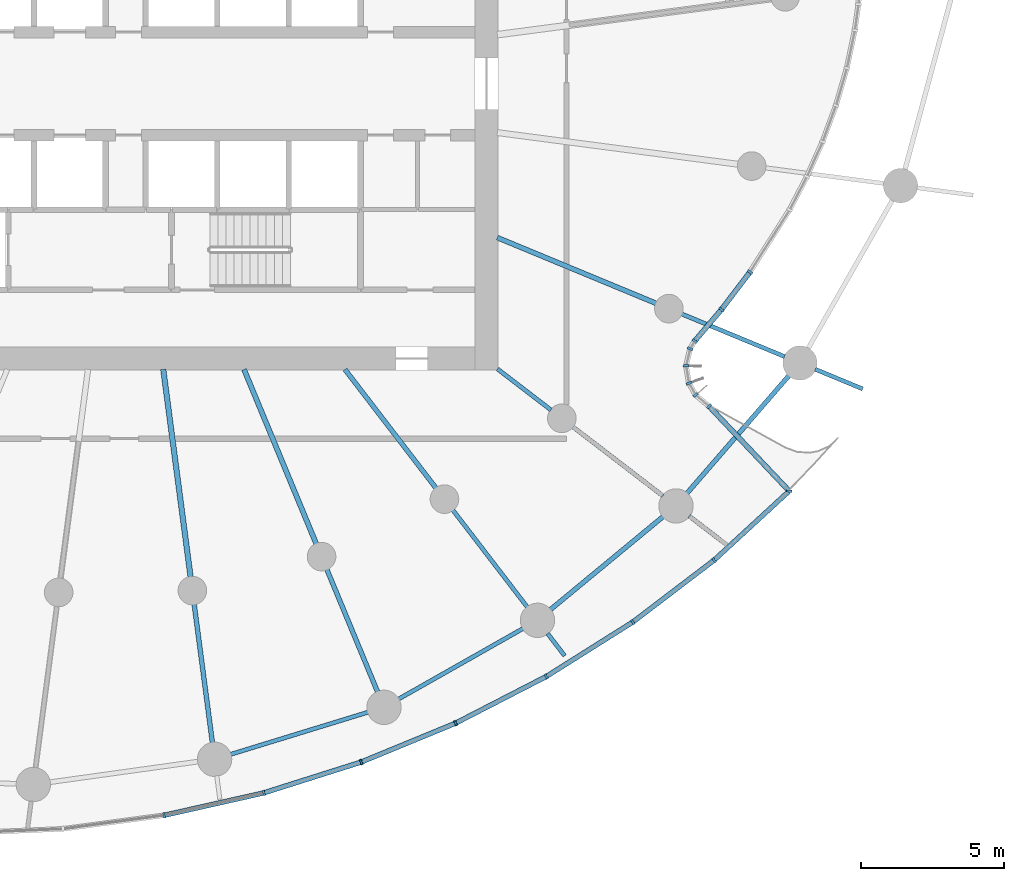
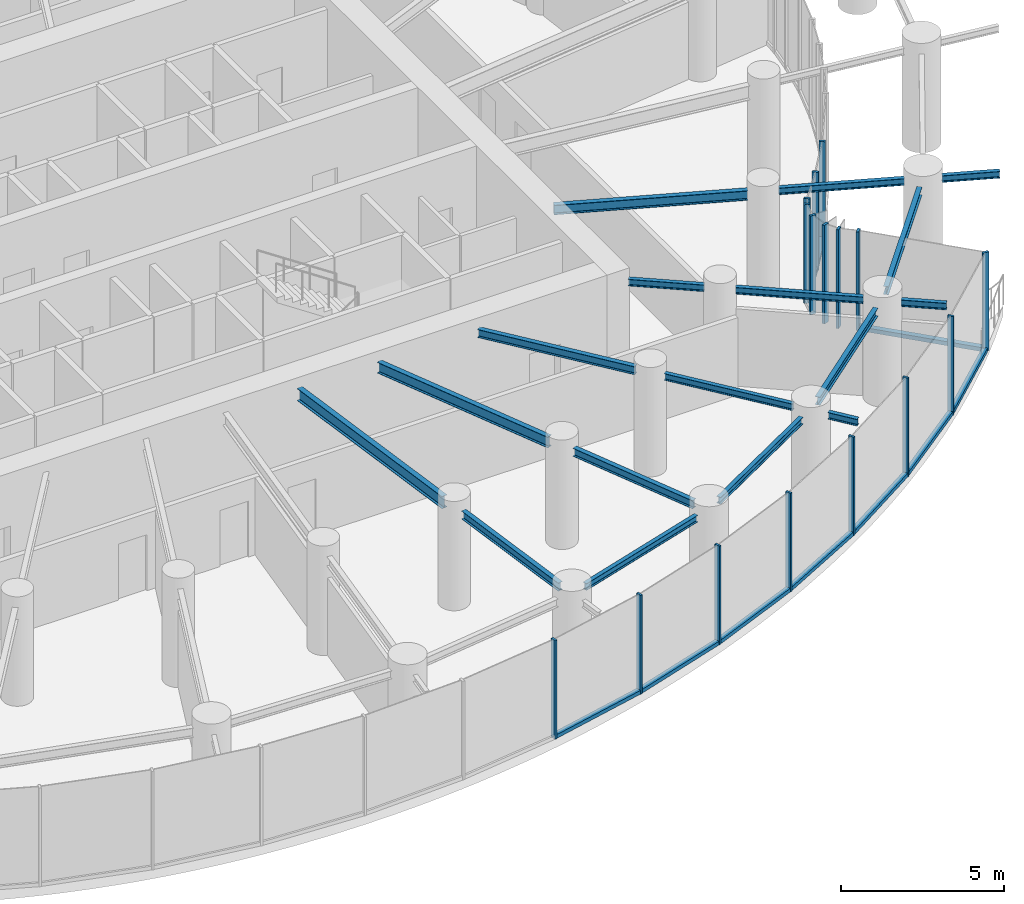
# One storey, part 4 of 21: 26 members, 17 beams, 4 elements without a shape of their own.
"""IFC4 building model written with IfcOpenShell, lengths in metres."""

from ifc_helpers import new_model, si_unit, direction, frame, origin, origin_2d, place, context, subcontext, project, spatial, rectangle, i_section, extrude, source, transform, mapped, material, layer, layer_set, material_profile, profile_set, type_object, element, aggregate, save


model = new_model("IFC4")

# Units and contexts
model_context = context("Model", 3, precision=1e-05, world=origin(), true_north=direction((0.0, 1.0)))
body_context = subcontext(model_context, "Body", "Model", "MODEL_VIEW")
ifc_project = project(units=[si_unit("LENGTHUNIT", "METRE"), si_unit("AREAUNIT", "SQUARE_METRE"), si_unit("VOLUMEUNIT", "CUBIC_METRE"), si_unit("PLANEANGLEUNIT", "RADIAN"), si_unit("MASSUNIT", "GRAM", prefix="KILO")], contexts=[model_context])

# Site, building, storey
site_placement = place(None, origin())
site = spatial("IfcSite", under=ifc_project, at=site_placement, CompositionType="ELEMENT")
building_placement = place(site_placement, origin())
building = spatial("IfcBuilding", under=site, at=building_placement, Name="Spindrift Exchange Tower", CompositionType="ELEMENT")
storey_placement = place(building_placement, frame((0.0, 0.0, 83.89990234375)))
storey = spatial("IfcBuildingStorey", under=building, at=storey_placement, Name="L19", CompositionType="ELEMENT", Elevation=83.89990234375)

# Beams
ifc_material_1 = material(Name="Steel Grade 300", Category="steel")
ifc_material_profile_1 = material_profile(ifc_material_1, i_section(OverallWidth=0.18994140625, OverallDepth=0.45703125, WebThickness=0.009033203125, FlangeThickness=0.014404296875, FilletRadius=0.013916015625, at=origin_2d()), Name="460UB74.6")
ifc_profile_set_1 = profile_set([ifc_material_profile_1], Name="Steel Grade 300")
beam_type_1 = type_object("IfcBeamType", Name="Floor Beam 460UB74.6 Steel Grade 300", PredefinedType="BEAM", material=ifc_profile_set_1)
shared_shape_1 = source(origin(), body_context, "Body", "SweptSolid", [
    extrude(i_section(OverallWidth=0.18994140625, OverallDepth=0.45703125, WebThickness=0.009033203125, FlangeThickness=0.014404296875, FilletRadius=0.013916015625, at=origin_2d()), origin(), (0.0, 0.0, 1.0), 7.3095703125),
])
beam_1_placement = place(storey_placement, frame((53.31396484375, 38.019775390625, 3.4716796875), z_axis=(0.130527087244, -0.991444743541, 0.0), x_axis=(0.991444743541, 0.130527087244, 0.0)))
element("IfcBeam", 1, at=beam_1_placement, inside=storey, type_object=beam_type_1, Name="L19 radial beam R19A", PredefinedType="BEAM", context=body_context, shape_type="MappedRepresentation", body=[
    mapped(shared_shape_1, transform((0.0, 0.0, 0.0), scale=1.0)),
])
ifc_material_profile_2 = material_profile(ifc_material_1, i_section(OverallWidth=0.177978515625, OverallDepth=0.406005859375, WebThickness=0.0078125, FlangeThickness=0.0126953125, FilletRadius=0.013916015625, at=origin_2d()), Name="410UB59.7")
ifc_profile_set_2 = profile_set([ifc_material_profile_2], Name="Steel Grade 300")
beam_type_2 = type_object("IfcBeamType", Name="Floor Beam 410UB59.7 Steel Grade 300", PredefinedType="BEAM", material=ifc_profile_set_2)
shared_shape_2 = source(origin(), body_context, "Body", "SweptSolid", [
    extrude(i_section(OverallWidth=0.177978515625, OverallDepth=0.406005859375, WebThickness=0.0078125, FlangeThickness=0.0126953125, FilletRadius=0.013916015625, at=origin_2d()), origin(), (0.0, 0.0, 1.0), 6.594482421875),
])
beam_2_placement = place(storey_placement, frame((56.134521484375, 38.0185546875, 3.4970703125), z_axis=(0.382692929746, -0.92387559851, 0.0), x_axis=(0.92387559851, 0.382692929746, 0.0)))
element("IfcBeam", 2, at=beam_2_placement, inside=storey, type_object=beam_type_2, Name="L19 radial beam R20A", PredefinedType="BEAM", context=body_context, shape_type="MappedRepresentation", body=[
    mapped(shared_shape_2, transform((0.0, 0.0, 0.0), scale=1.0)),
])
ifc_material_profile_3 = material_profile(ifc_material_1, i_section(OverallWidth=0.1650390625, OverallDepth=0.303955078125, WebThickness=0.006103515625, FlangeThickness=0.01025390625, FilletRadius=0.011474609375, at=origin_2d()), Name="310UB40.4")
ifc_profile_set_3 = profile_set([ifc_material_profile_3], Name="Steel Grade 300")
beam_type_3 = type_object("IfcBeamType", Name="Floor Beam 310UB40.4 Steel Grade 300", PredefinedType="BEAM", material=ifc_profile_set_3)
shared_shape_3 = source(origin(), body_context, "Body", "SweptSolid", [
    extrude(i_section(OverallWidth=0.1650390625, OverallDepth=0.303955078125, WebThickness=0.006103515625, FlangeThickness=0.01025390625, FilletRadius=0.011474609375, at=origin_2d()), origin(), (0.0, 0.0, 1.0), 5.224609375),
])
beam_3_placement = place(storey_placement, frame((59.6611328125, 38.015869140625, 3.548095703125), z_axis=(0.608741499316, -0.793368632485, 0.0), x_axis=(0.793368632485, 0.608741499316, 0.0)))
element("IfcBeam", 3, at=beam_3_placement, inside=storey, type_object=beam_type_3, Name="L19 radial beam R21A", PredefinedType="BEAM", context=body_context, shape_type="MappedRepresentation", body=[
    mapped(shared_shape_3, transform((0.0, 0.0, 0.0), scale=1.0)),
])
ifc_material_profile_4 = material_profile(ifc_material_1, i_section(OverallWidth=0.14599609375, OverallDepth=0.251953125, WebThickness=0.006103515625, FlangeThickness=0.008544921875, FilletRadius=0.011962890625, at=origin_2d()), Name="250UB31.4")
ifc_profile_set_4 = profile_set([ifc_material_profile_4], Name="Steel Grade 300")
beam_type_4 = type_object("IfcBeamType", Name="Floor Beam 250UB31.4 Steel Grade 300", PredefinedType="BEAM", material=ifc_profile_set_4)
shared_shape_4 = source(origin(), body_context, "Body", "SweptSolid", [
    extrude(i_section(OverallWidth=0.14599609375, OverallDepth=0.251953125, WebThickness=0.006103515625, FlangeThickness=0.008544921875, FilletRadius=0.011962890625, at=origin_2d()), origin(), (0.0, 0.0, 1.0), 2.353759765625),
])
beam_4_placement = place(storey_placement, frame((64.984130859375, 38.036865234375, 3.57421875), z_axis=(0.793367573265, -0.608742879787, 0.0), x_axis=(0.608742879787, 0.793367573265, 0.0)))
element("IfcBeam", 4, at=beam_4_placement, inside=storey, type_object=beam_type_4, Name="L19 radial beam R22A", PredefinedType="BEAM", context=body_context, shape_type="MappedRepresentation", body=[
    mapped(shared_shape_4, transform((0.0, 0.0, 0.0), scale=1.0)),
])
ifc_material_profile_5 = material_profile(ifc_material_1, i_section(OverallWidth=0.172119140625, OverallDepth=0.35888671875, WebThickness=0.008056640625, FlangeThickness=0.012939453125, FilletRadius=0.013916015625, at=origin_2d()), Name="360UB56.7")
ifc_profile_set_5 = profile_set([ifc_material_profile_5], Name="Steel Grade 300")
beam_type_5 = type_object("IfcBeamType", Name="Floor Beam 360UB56.7 Steel Grade 300", PredefinedType="BEAM", material=ifc_profile_set_5)
shared_shape_5 = source(origin(), body_context, "Body", "SweptSolid", [
    extrude(i_section(OverallWidth=0.172119140625, OverallDepth=0.35888671875, WebThickness=0.008056640625, FlangeThickness=0.012939453125, FilletRadius=0.013916015625, at=origin_2d()), origin(), (0.0, 0.0, 1.0), 6.004638671875),
])
beam_5_placement = place(storey_placement, frame((64.9814453125, 42.622802734375, 3.5205078125), z_axis=(0.923882044911, -0.38267736684, 0.0), x_axis=(0.38267736684, 0.923882044911, 0.0)))
element("IfcBeam", 5, at=beam_5_placement, inside=storey, type_object=beam_type_5, Name="L19 radial beam R23A", PredefinedType="BEAM", context=body_context, shape_type="MappedRepresentation", body=[
    mapped(shared_shape_5, transform((0.0, 0.0, 0.0), scale=1.0)),
])
shared_shape_6 = source(origin(), body_context, "Body", "SweptSolid", [
    extrude(i_section(OverallWidth=0.1650390625, OverallDepth=0.303955078125, WebThickness=0.006103515625, FlangeThickness=0.01025390625, FilletRadius=0.011474609375, at=origin_2d()), origin(), (0.0, 0.0, 1.0), 4.883056640625),
])
beam_6_placement = place(storey_placement, frame((54.393310546875, 29.82080078125, 3.548095703125), z_axis=(0.130542457964, -0.991442719812, 0.0), x_axis=(0.991442719812, 0.130542457964, 0.0)))
element("IfcBeam", 6, at=beam_6_placement, inside=storey, type_object=beam_type_3, Name="L19 radial beam R19B", PredefinedType="BEAM", context=body_context, shape_type="MappedRepresentation", body=[
    mapped(shared_shape_6, transform((0.0, 0.0, 0.0), scale=1.0)),
])
shared_shape_7 = source(origin(), body_context, "Body", "SweptSolid", [
    extrude(i_section(OverallWidth=0.1650390625, OverallDepth=0.303955078125, WebThickness=0.006103515625, FlangeThickness=0.01025390625, FilletRadius=0.011474609375, at=origin_2d()), origin(), (0.0, 0.0, 1.0), 4.63671875),
])
beam_7_placement = place(storey_placement, frame((59.025390625, 31.0390625, 3.548095703125), z_axis=(0.382692818086, -0.923875644763, 0.0), x_axis=(0.923875644763, 0.382692818086, 0.0)))
element("IfcBeam", 7, at=beam_7_placement, inside=storey, type_object=beam_type_3, Name="L19 radial beam R20B", PredefinedType="BEAM", context=body_context, shape_type="MappedRepresentation", body=[
    mapped(shared_shape_7, transform((0.0, 0.0, 0.0), scale=1.0)),
])
shared_shape_8 = source(origin(), body_context, "Body", "SweptSolid", [
    extrude(i_section(OverallWidth=0.14599609375, OverallDepth=0.251953125, WebThickness=0.006103515625, FlangeThickness=0.008544921875, FilletRadius=0.011962890625, at=origin_2d()), origin(), (0.0, 0.0, 1.0), 4.27587890625),
])
beam_8_placement = place(storey_placement, frame((63.426025390625, 33.109375, 3.57421875), z_axis=(0.608725184746, -0.793381150177, 0.0), x_axis=(0.793381150177, 0.608725184746, 0.0)))
element("IfcBeam", 8, at=beam_8_placement, inside=storey, type_object=beam_type_4, Name="L19 radial beam R21B", PredefinedType="BEAM", context=body_context, shape_type="MappedRepresentation", body=[
    mapped(shared_shape_8, transform((0.0, 0.0, 0.0), scale=1.0)),
])
shared_shape_9 = source(origin(), body_context, "Body", "SweptSolid", [
    extrude(i_section(OverallWidth=0.14599609375, OverallDepth=0.251953125, WebThickness=0.006103515625, FlangeThickness=0.008544921875, FilletRadius=0.011962890625, at=origin_2d()), origin(), (0.0, 0.0, 1.0), 3.966064453125),
])
beam_9_placement = place(storey_placement, frame((67.61328125, 36.01953125, 3.57421875), z_axis=(0.79336256318, -0.608749409318, 0.0), x_axis=(0.608749409318, 0.79336256318, 0.0)))
element("IfcBeam", 9, at=beam_9_placement, inside=storey, type_object=beam_type_4, Name="L19 radial beam R22B", PredefinedType="BEAM", context=body_context, shape_type="MappedRepresentation", body=[
    mapped(shared_shape_9, transform((0.0, 0.0, 0.0), scale=1.0)),
])
shared_shape_10 = source(origin(), body_context, "Body", "SweptSolid", [
    extrude(i_section(OverallWidth=0.14599609375, OverallDepth=0.251953125, WebThickness=0.006103515625, FlangeThickness=0.008544921875, FilletRadius=0.011962890625, at=origin_2d()), origin(), (0.0, 0.0, 1.0), 3.892333984375),
])
beam_10_placement = place(storey_placement, frame((71.416015625, 39.95751953125, 3.57421875), z_axis=(0.923878458273, -0.382686025794, 0.0), x_axis=(0.382686025794, 0.923878458273, 0.0)))
element("IfcBeam", 10, at=beam_10_placement, inside=storey, type_object=beam_type_4, Name="L19 radial beam R23B", PredefinedType="BEAM", context=body_context, shape_type="MappedRepresentation", body=[
    mapped(shared_shape_10, transform((0.0, 0.0, 0.0), scale=1.0)),
])
ifc_material_profile_6 = material_profile(ifc_material_1, i_section(OverallWidth=0.14599609375, OverallDepth=0.251953125, WebThickness=0.006103515625, FlangeThickness=0.008544921875, FilletRadius=0.011962890625, at=origin_2d()), Name="250UB31.4")
ifc_profile_set_6 = profile_set([ifc_material_profile_6], Name="Steel Grade 300")
beam_type_6 = type_object("IfcBeamType", Name="Edge Beam 250UB31.4 Steel Grade 300", PredefinedType="SPANDREL", material=ifc_profile_set_6)
shared_shape_11 = source(origin(), body_context, "Body", "SweptSolid", [
    extrude(i_section(OverallWidth=0.14599609375, OverallDepth=0.251953125, WebThickness=0.006103515625, FlangeThickness=0.008544921875, FilletRadius=0.011962890625, at=origin_2d()), origin(), (0.0, 0.0, 1.0), 5.027587890625),
])
beam_11_placement = place(storey_placement, frame((55.660888671875, 24.57470703125, 3.57421875), z_axis=(0.956018084082, 0.293307727325, 0.0), x_axis=(-0.293307727325, 0.956018084082, 0.0)))
element("IfcBeam", 11, at=beam_11_placement, inside=storey, type_object=beam_type_6, Name="L19 edge beam E19", PredefinedType="SPANDREL", context=body_context, shape_type="MappedRepresentation", body=[
    mapped(shared_shape_11, transform((0.0, 0.0, 0.0), scale=1.0)),
])
shared_shape_12 = source(origin(), body_context, "Body", "SweptSolid", [
    extrude(i_section(OverallWidth=0.14599609375, OverallDepth=0.251953125, WebThickness=0.006103515625, FlangeThickness=0.008544921875, FilletRadius=0.011962890625, at=origin_2d()), origin(), (0.0, 0.0, 1.0), 5.0009765625),
])
beam_12_placement = place(storey_placement, frame((61.5263671875, 26.505615234375, 3.57421875), z_axis=(0.870045916697, 0.492970691663, 0.0), x_axis=(-0.492970691663, 0.870045916697, 0.0)))
element("IfcBeam", 12, at=beam_12_placement, inside=storey, type_object=beam_type_6, Name="L19 edge beam E20", PredefinedType="SPANDREL", context=body_context, shape_type="MappedRepresentation", body=[
    mapped(shared_shape_12, transform((0.0, 0.0, 0.0), scale=1.0)),
])
ifc_material_profile_7 = material_profile(ifc_material_1, i_section(OverallWidth=0.1650390625, OverallDepth=0.303955078125, WebThickness=0.006103515625, FlangeThickness=0.01025390625, FilletRadius=0.011474609375, at=origin_2d()), Name="310UB40.4")
ifc_profile_set_7 = profile_set([ifc_material_profile_7], Name="Steel Grade 300")
beam_type_7 = type_object("IfcBeamType", Name="Edge Beam 310UB40.4 Steel Grade 300", PredefinedType="SPANDREL", material=ifc_profile_set_7)
shared_shape_13 = source(origin(), body_context, "Body", "SweptSolid", [
    extrude(i_section(OverallWidth=0.1650390625, OverallDepth=0.303955078125, WebThickness=0.006103515625, FlangeThickness=0.01025390625, FilletRadius=0.011474609375, at=origin_2d()), origin(), (0.0, 0.0, 1.0), 5.114501953125),
])
beam_13_placement = place(storey_placement, frame((66.8291015625, 29.626220703125, 3.548095703125), z_axis=(0.771073837992, 0.63674573918, 0.0), x_axis=(-0.63674573918, 0.771073837992, 0.0)))
element("IfcBeam", 13, at=beam_13_placement, inside=storey, type_object=beam_type_7, Name="L19 edge beam E21", PredefinedType="SPANDREL", context=body_context, shape_type="MappedRepresentation", body=[
    mapped(shared_shape_13, transform((0.0, 0.0, 0.0), scale=1.0)),
])
shared_shape_14 = source(origin(), body_context, "Body", "SweptSolid", [
    extrude(i_section(OverallWidth=0.1650390625, OverallDepth=0.303955078125, WebThickness=0.006103515625, FlangeThickness=0.01025390625, FilletRadius=0.011474609375, at=origin_2d()), origin(), (0.0, 0.0, 1.0), 5.448486328125),
])
beam_14_placement = place(storey_placement, frame((71.599609375, 33.6904296875, 3.548095703125), z_axis=(0.654922008827, 0.755696475018, 0.0), x_axis=(-0.755696475018, 0.654922008827, 0.0)))
element("IfcBeam", 14, at=beam_14_placement, inside=storey, type_object=beam_type_7, Name="L19 edge beam E22", PredefinedType="SPANDREL", context=body_context, shape_type="MappedRepresentation", body=[
    mapped(shared_shape_14, transform((0.0, 0.0, 0.0), scale=1.0)),
])
ifc_material_profile_8 = material_profile(ifc_material_1, i_section(OverallWidth=0.14599609375, OverallDepth=0.251953125, WebThickness=0.006103515625, FlangeThickness=0.008544921875, FilletRadius=0.011962890625, at=origin_2d()), Name="250UB31.4")
ifc_profile_set_8 = profile_set([ifc_material_profile_8], Name="Steel Grade 300")
beam_type_8 = type_object("IfcBeamType", Name="Cantilever Beam 250UB31.4 Steel Grade 300", PredefinedType="BEAM", material=ifc_profile_set_8)
shared_shape_15 = source(origin(), body_context, "Body", "SweptSolid", [
    extrude(i_section(OverallWidth=0.14599609375, OverallDepth=0.251953125, WebThickness=0.006103515625, FlangeThickness=0.008544921875, FilletRadius=0.011962890625, at=origin_2d()), origin(), (0.0, 0.0, 1.0), 0.982666015625),
])
beam_15_placement = place(storey_placement, frame((66.735107421875, 28.796875, 3.57421875), z_axis=(0.608749688417, -0.793362349026, 0.0), x_axis=(0.793362349026, 0.608749688417, 0.0)))
element("IfcBeam", 15, at=beam_15_placement, inside=storey, type_object=beam_type_8, Name="L19 cantilever beam R21T", PredefinedType="BEAM", context=body_context, shape_type="MappedRepresentation", body=[
    mapped(shared_shape_15, transform((0.0, 0.0, 0.0), scale=1.0)),
])
shared_shape_16 = source(origin(), body_context, "Body", "SweptSolid", [
    extrude(i_section(OverallWidth=0.14599609375, OverallDepth=0.251953125, WebThickness=0.006103515625, FlangeThickness=0.008544921875, FilletRadius=0.011962890625, at=origin_2d()), origin(), (0.0, 0.0, 1.0), 1.410888671875),
])
beam_16_placement = place(storey_placement, frame((71.679931640625, 32.89892578125, 3.57421875), z_axis=(0.793369572621, -0.608740274041, 0.0), x_axis=(0.608740274041, 0.793369572621, 0.0)))
element("IfcBeam", 16, at=beam_16_placement, inside=storey, type_object=beam_type_8, Name="L19 cantilever beam R22T", PredefinedType="BEAM", context=body_context, shape_type="MappedRepresentation", body=[
    mapped(shared_shape_16, transform((0.0, 0.0, 0.0), scale=1.0)),
])
shared_shape_17 = source(origin(), body_context, "Body", "SweptSolid", [
    extrude(i_section(OverallWidth=0.14599609375, OverallDepth=0.251953125, WebThickness=0.006103515625, FlangeThickness=0.008544921875, FilletRadius=0.011962890625, at=origin_2d()), origin(), (0.0, 0.0, 1.0), 1.790283203125),
])
beam_17_placement = place(storey_placement, frame((76.08349609375, 38.024169921875, 3.57421875), z_axis=(0.923893845705, -0.382648875431, 0.0), x_axis=(0.382648875431, 0.923893845705, 0.0)))
element("IfcBeam", 17, at=beam_17_placement, inside=storey, type_object=beam_type_8, Name="L19 cantilever beam R23T", PredefinedType="BEAM", context=body_context, shape_type="MappedRepresentation", body=[
    mapped(shared_shape_17, transform((0.0, 0.0, 0.0), scale=1.0)),
])

# Curtain wall, members
ifc_material_2 = material(Name="Fritted laminated glass with bronze frame", Category="glass")
ifc_layer_1 = layer(ifc_material_2, 0.18994140625)
ifc_layer_set_1 = layer_set([ifc_layer_1], Name="ZONE 2 BRONZE FRITTED WALL")
curtain_wall_type_1 = type_object("IfcCurtainWallType", Name="ZONE 2 BRONZE FRITTED WALL", PredefinedType="NOTDEFINED", material=ifc_layer_set_1)
curtain_wall_1_placement = place(storey_placement, origin())
curtain_wall_1 = element("IfcCurtainWall", 18, at=curtain_wall_1_placement, inside=storey, type_object=curtain_wall_type_1, Name="L19 Zone 2 Bronze Fritted Wall run 6", PredefinedType="NOTDEFINED")
ifc_material_3 = material(Name="Bronze anodised aluminium", Category="aluminium")
ifc_material_profile_9 = material_profile(ifc_material_3, rectangle(XDim=0.169921875, YDim=0.139892578125, at=origin_2d()), Name="ZONE 2 BRONZE FRITTED WALL TRANSOM 170X140")
ifc_profile_set_9 = profile_set([ifc_material_profile_9], Name="Bronze anodised aluminium")
member_type_1 = type_object("IfcMemberType", Name="ZONE 2 BRONZE FRITTED WALL TRANSOM 170X140", PredefinedType="USERDEFINED", material=ifc_profile_set_9)
shared_shape_18 = source(origin(), body_context, "Body", "SweptSolid", [
    extrude(rectangle(XDim=0.169921875, YDim=0.139892578125, at=origin_2d()), origin(), (0.0, 0.0, 1.0), 3.49169921875),
])
member_1_placement = place(storey_placement, frame((60.259765625, 24.31982421875, 0.070068359375), z_axis=(0.924633202041, 0.380858821197, 0.0), x_axis=(-0.380858821197, 0.924633202041, 0.0)))
member_1 = element("IfcMember", 19, at=member_1_placement, type_object=member_type_1, Name="L19 transom CW-2.31", ObjectType="TRANSOM", PredefinedType="USERDEFINED", context=body_context, shape_type="MappedRepresentation", body=[
    mapped(shared_shape_18, transform((0.0, 0.0, 0.0), scale=1.0)),
])
member_2_placement = place(storey_placement, frame((63.55615234375, 25.68115234375, 0.070068359375), z_axis=(0.889107357573, 0.457698707351, 0.0), x_axis=(-0.457698707351, 0.889107357573, 0.0)))
member_2 = element("IfcMember", 20, at=member_2_placement, type_object=member_type_1, Name="L19 transom CW-2.32", ObjectType="TRANSOM", PredefinedType="USERDEFINED", context=body_context, shape_type="MappedRepresentation", body=[
    mapped(shared_shape_18, transform((0.0, 0.0, 0.0), scale=1.0)),
])
member_3_placement = place(storey_placement, frame((66.725830078125, 27.31640625, 0.070068359375), z_axis=(0.846411445107, 0.532529497392, 0.0), x_axis=(-0.532529497392, 0.846411445107, 0.0)))
member_3 = element("IfcMember", 21, at=member_3_placement, type_object=member_type_1, Name="L19 transom CW-2.33", ObjectType="TRANSOM", PredefinedType="USERDEFINED", context=body_context, shape_type="MappedRepresentation", body=[
    mapped(shared_shape_18, transform((0.0, 0.0, 0.0), scale=1.0)),
])

curtain_wall_2_placement = place(storey_placement, origin())
curtain_wall_2 = element("IfcCurtainWall", 22, at=curtain_wall_2_placement, inside=storey, type_object=curtain_wall_type_1, Name="L19 Zone 2 Bronze Fritted Wall run 5", PredefinedType="NOTDEFINED")
shared_shape_19 = source(origin(), body_context, "Body", "SweptSolid", [
    extrude(rectangle(XDim=0.169921875, YDim=0.139892578125, at=origin_2d()), origin(), (0.0, 0.0, 1.0), 3.491455078125),
])
member_4_placement = place(storey_placement, frame((53.38134765625, 22.45556640625, 0.070068359375), z_axis=(0.975646056509, 0.219350797625, 0.0), x_axis=(-0.219350797625, 0.975646056509, 0.0)))
member_4 = element("IfcMember", 23, at=member_4_placement, type_object=member_type_1, Name="L19 transom CW-2.29", ObjectType="TRANSOM", PredefinedType="USERDEFINED", context=body_context, shape_type="MappedRepresentation", body=[
    mapped(shared_shape_19, transform((0.0, 0.0, 0.0), scale=1.0)),
])
member_5_placement = place(storey_placement, frame((56.8603515625, 23.240966796875, 0.070068359375), z_axis=(0.953417662953, 0.301653377189, 0.0), x_axis=(-0.301653377189, 0.953417662953, 0.0)))
member_5 = element("IfcMember", 24, at=member_5_placement, type_object=member_type_1, Name="L19 transom CW-2.30", ObjectType="TRANSOM", PredefinedType="USERDEFINED", context=body_context, shape_type="MappedRepresentation", body=[
    mapped(shared_shape_19, transform((0.0, 0.0, 0.0), scale=1.0)),
])

# Member
member_6_placement = place(storey_placement, frame((69.74267578125, 29.218505859375, 0.070068359375), z_axis=(0.795657987544, 0.605746124096, 0.0), x_axis=(-0.605746124096, 0.795657987544, 0.0)))
member_6 = element("IfcMember", 25, at=member_6_placement, type_object=member_type_1, Name="L19 transom CW-2.34", ObjectType="TRANSOM", PredefinedType="USERDEFINED", context=body_context, shape_type="MappedRepresentation", body=[
    mapped(shared_shape_19, transform((0.0, 0.0, 0.0), scale=1.0)),
])

member_7_placement = place(storey_placement, frame((72.578125, 31.381591796875, 0.070068359375), z_axis=(0.735631296132, 0.677382164034, 0.0), x_axis=(-0.677382164034, 0.735631296132, 0.0)))
member_7 = element("IfcMember", 26, at=member_7_placement, type_object=member_type_1, Name="L19 transom CW-2.35", ObjectType="TRANSOM", PredefinedType="USERDEFINED", context=body_context, shape_type="MappedRepresentation", body=[
    mapped(shared_shape_19, transform((0.0, 0.0, 0.0), scale=1.0)),
])

# Curtain wall, member
ifc_layer_2 = layer(ifc_material_2, 0.199951171875)
ifc_layer_set_2 = layer_set([ifc_layer_2], Name="SKY GARDEN BRONZE GLAZED WALL")
curtain_wall_type_2 = type_object("IfcCurtainWallType", Name="SKY GARDEN BRONZE GLAZED WALL", PredefinedType="NOTDEFINED", material=ifc_layer_set_2)
curtain_wall_3_placement = place(storey_placement, origin())
curtain_wall_3 = element("IfcCurtainWall", 27, at=curtain_wall_3_placement, inside=storey, type_object=curtain_wall_type_2, Name="L19 Sky Garden Bronze Glazed Wall run 7", PredefinedType="NOTDEFINED")
ifc_material_profile_10 = material_profile(ifc_material_3, rectangle(XDim=0.179931640625, YDim=0.14990234375, at=origin_2d()), Name="SKY GARDEN BRONZE GLAZED WALL TRANSOM 180X150")
ifc_profile_set_10 = profile_set([ifc_material_profile_10], Name="Bronze anodised aluminium")
member_type_2 = type_object("IfcMemberType", Name="SKY GARDEN BRONZE GLAZED WALL TRANSOM 180X150", PredefinedType="USERDEFINED", material=ifc_profile_set_10)
shared_shape_20 = source(origin(), body_context, "Body", "SweptSolid", [
    extrude(rectangle(XDim=0.179931640625, YDim=0.14990234375, at=origin_2d()), origin(), (0.0, 0.0, 1.0), 3.989990234375),
])
member_8_placement = place(storey_placement, frame((75.14501953125, 33.802734375, 0.0751953125), z_axis=(-0.687004333458, 0.726653318859, 0.0), x_axis=(-0.726653318859, -0.687004333458, 0.0)))
member_8 = element("IfcMember", 28, at=member_8_placement, type_object=member_type_2, Name="L19 transom CW-G.36", ObjectType="TRANSOM", PredefinedType="USERDEFINED", context=body_context, shape_type="MappedRepresentation", body=[
    mapped(shared_shape_20, transform((0.0, 0.0, 0.0), scale=1.0)),
])

curtain_wall_4_placement = place(storey_placement, origin())
curtain_wall_4 = element("IfcCurtainWall", 29, at=curtain_wall_4_placement, inside=storey, type_object=curtain_wall_type_2, Name="L19 Sky Garden Bronze Glazed Wall run 8", PredefinedType="NOTDEFINED")
shared_shape_21 = source(origin(), body_context, "Body", "SweptSolid", [
    extrude(rectangle(XDim=0.179931640625, YDim=0.14990234375, at=origin_2d()), origin(), (0.0, 0.0, 1.0), 1.35791015625),
])
member_9_placement = place(storey_placement, frame((71.9013671875, 39.04248046875, 0.0751953125), z_axis=(0.646739827643, 0.762710689147, 0.0), x_axis=(-0.762710689147, 0.646739827643, 0.0)))
member_9 = element("IfcMember", 30, at=member_9_placement, type_object=member_type_2, Name="L19 transom CW-G.42", ObjectType="TRANSOM", PredefinedType="USERDEFINED", context=body_context, shape_type="MappedRepresentation", body=[
    mapped(shared_shape_21, transform((0.0, 0.0, 0.0), scale=1.0)),
])

# Member
ifc_material_profile_11 = material_profile(ifc_material_3, rectangle(XDim=0.074951171875, YDim=0.18994140625, at=origin_2d()), Name="ZONE 2 BRONZE FRITTED WALL MULLION 75X190")
ifc_profile_set_11 = profile_set([ifc_material_profile_11], Name="Bronze anodised aluminium")
member_type_3 = type_object("IfcMemberType", Name="ZONE 2 BRONZE FRITTED WALL MULLION 75X190", PredefinedType="MULLION", material=ifc_profile_set_11)
shared_shape_22 = source(origin(), body_context, "Body", "SweptSolid", [
    extrude(rectangle(XDim=0.074951171875, YDim=0.18994140625, at=origin_2d()), origin(), (0.0, 0.0, 1.0), 3.7001953125),
])
member_10_placement = place(storey_placement, frame((53.3447265625, 22.447265625, 0.0), z_axis=(0.0, 0.0, 1.0), x_axis=(0.984308592864, 0.176455643191, 0.0)))
member_10 = element("IfcMember", 31, at=member_10_placement, type_object=member_type_3, Name="L19 mullion CW-2.29", PredefinedType="MULLION", context=body_context, shape_type="MappedRepresentation", body=[
    mapped(shared_shape_22, transform((0.0, 0.0, 0.0), scale=1.0)),
])

member_11_placement = place(storey_placement, frame((56.824462890625, 23.2294921875, 0.0), z_axis=(0.0, 0.0, 1.0), x_axis=(0.965410744991, 0.260733759717, 0.0)))
member_11 = element("IfcMember", 32, at=member_11_placement, type_object=member_type_3, Name="L19 mullion CW-2.30", PredefinedType="MULLION", context=body_context, shape_type="MappedRepresentation", body=[
    mapped(shared_shape_22, transform((0.0, 0.0, 0.0), scale=1.0)),
])

aggregate(curtain_wall_2, [member_10, member_4, member_11, member_5])

member_12_placement = place(storey_placement, frame((60.22509765625, 24.305419921875, 0.0), z_axis=(0.0, 0.0, 1.0), x_axis=(0.939855876864, 0.341571267415, 0.0)))
member_12 = element("IfcMember", 33, at=member_12_placement, type_object=member_type_3, Name="L19 mullion CW-2.31", PredefinedType="MULLION", context=body_context, shape_type="MappedRepresentation", body=[
    mapped(shared_shape_22, transform((0.0, 0.0, 0.0), scale=1.0)),
])

member_13_placement = place(storey_placement, frame((63.52294921875, 25.6640625, 0.0), z_axis=(0.0, 0.0, 1.0), x_axis=(0.90768078989, 0.419661272533, 0.0)))
member_13 = element("IfcMember", 34, at=member_13_placement, type_object=member_type_3, Name="L19 mullion CW-2.32", PredefinedType="MULLION", context=body_context, shape_type="MappedRepresentation", body=[
    mapped(shared_shape_22, transform((0.0, 0.0, 0.0), scale=1.0)),
])

member_14_placement = place(storey_placement, frame((66.694091796875, 27.29638671875, 0.0), z_axis=(0.0, 0.0, 1.0), x_axis=(0.868568451632, 0.495569212956, 0.0)))
member_14 = element("IfcMember", 35, at=member_14_placement, type_object=member_type_3, Name="L19 mullion CW-2.33", PredefinedType="MULLION", context=body_context, shape_type="MappedRepresentation", body=[
    mapped(shared_shape_22, transform((0.0, 0.0, 0.0), scale=1.0)),
])

member_15_placement = place(storey_placement, frame((69.712890625, 29.19580078125, 0.0), z_axis=(0.0, 0.0, 1.0), x_axis=(0.821843866751, 0.569712786133, 0.0)))
member_15 = element("IfcMember", 36, at=member_15_placement, type_object=member_type_3, Name="L19 mullion CW-2.34", PredefinedType="MULLION", context=body_context, shape_type="MappedRepresentation", body=[
    mapped(shared_shape_22, transform((0.0, 0.0, 0.0), scale=1.0)),
])

member_16_placement = place(storey_placement, frame((72.550537109375, 31.356201171875, 0.0), z_axis=(0.0, 0.0, 1.0), x_axis=(0.766483977711, 0.642263428752, 0.0)))
member_16 = element("IfcMember", 37, at=member_16_placement, type_object=member_type_3, Name="L19 mullion CW-2.35", PredefinedType="MULLION", context=body_context, shape_type="MappedRepresentation", body=[
    mapped(shared_shape_22, transform((0.0, 0.0, 0.0), scale=1.0)),
])

aggregate(curtain_wall_1, [member_12, member_1, member_13, member_2, member_14, member_3, member_15, member_6, member_16, member_7])

ifc_material_profile_12 = material_profile(ifc_material_3, rectangle(XDim=0.0849609375, YDim=0.199951171875, at=origin_2d()), Name="SKY GARDEN BRONZE GLAZED WALL MULLION 85X200")
ifc_profile_set_12 = profile_set([ifc_material_profile_12], Name="Bronze anodised aluminium")
member_type_4 = type_object("IfcMemberType", Name="SKY GARDEN BRONZE GLAZED WALL MULLION 85X200", PredefinedType="MULLION", material=ifc_profile_set_12)
shared_shape_23 = source(origin(), body_context, "Body", "SweptSolid", [
    extrude(rectangle(XDim=0.0849609375, YDim=0.199951171875, at=origin_2d()), origin(), (0.0, 0.0, 1.0), 3.7001953125),
])
member_17_placement = place(storey_placement, frame((75.174072265625, 33.77197265625, 0.0), z_axis=(0.0, 0.0, 1.0), x_axis=(0.034649221656, 0.99939953544, 0.0)))
member_17 = element("IfcMember", 38, at=member_17_placement, type_object=member_type_4, Name="L19 mullion CW-G.36", PredefinedType="MULLION", context=body_context, shape_type="MappedRepresentation", body=[
    mapped(shared_shape_23, transform((0.0, 0.0, 0.0), scale=1.0)),
])

member_18_placement = place(storey_placement, frame((72.374755859375, 36.733154296875, 0.0), z_axis=(0.0, 0.0, 1.0), x_axis=(-0.726234399022, 0.687447159916, 0.0)))
member_18 = element("IfcMember", 39, at=member_18_placement, type_object=member_type_4, Name="L19 mullion CW-G.37", PredefinedType="MULLION", context=body_context, shape_type="MappedRepresentation", body=[
    mapped(shared_shape_23, transform((0.0, 0.0, 0.0), scale=1.0)),
])

member_19_placement = place(storey_placement, frame((71.90625, 37.129638671875, 0.0), z_axis=(0.0, 0.0, 1.0), x_axis=(-0.638869038788, 0.769315508278, 0.0)))
member_19 = element("IfcMember", 40, at=member_19_placement, type_object=member_type_4, Name="L19 mullion CW-G.38", PredefinedType="MULLION", context=body_context, shape_type="MappedRepresentation", body=[
    mapped(shared_shape_23, transform((0.0, 0.0, 0.0), scale=1.0)),
])

member_20_placement = place(storey_placement, frame((71.674560546875, 37.53662109375, 0.0), z_axis=(0.0, 0.0, 1.0), x_axis=(-0.335063376738, 0.942195591992, 0.0)))
member_20 = element("IfcMember", 41, at=member_20_placement, type_object=member_type_4, Name="L19 mullion CW-G.39", PredefinedType="MULLION", context=body_context, shape_type="MappedRepresentation", body=[
    mapped(shared_shape_23, transform((0.0, 0.0, 0.0), scale=1.0)),
])

member_21_placement = place(storey_placement, frame((71.572998046875, 38.144287109375, 0.0), z_axis=(0.0, 0.0, 1.0), x_axis=(0.033577126031, 0.999436129329, 0.0)))
member_21 = element("IfcMember", 42, at=member_21_placement, type_object=member_type_4, Name="L19 mullion CW-G.40", PredefinedType="MULLION", context=body_context, shape_type="MappedRepresentation", body=[
    mapped(shared_shape_23, transform((0.0, 0.0, 0.0), scale=1.0)),
])

member_22_placement = place(storey_placement, frame((71.7138671875, 38.739013671875, 0.0), z_axis=(0.0, 0.0, 1.0), x_axis=(0.373638581231, 0.927574369318, 0.0)))
member_22 = element("IfcMember", 43, at=member_22_placement, type_object=member_type_4, Name="L19 mullion CW-G.41", PredefinedType="MULLION", context=body_context, shape_type="MappedRepresentation", body=[
    mapped(shared_shape_23, transform((0.0, 0.0, 0.0), scale=1.0)),
])

aggregate(curtain_wall_3, [member_17, member_8, member_18, member_19, member_20, member_21, member_22])

member_23_placement = place(storey_placement, frame((71.873779296875, 39.010009765625, 0.0), z_axis=(0.0, 0.0, 1.0), x_axis=(0.57958287525, 0.814913302577, 0.0)))
member_23 = element("IfcMember", 44, at=member_23_placement, type_object=member_type_4, Name="L19 mullion CW-G.42", PredefinedType="MULLION", context=body_context, shape_type="MappedRepresentation", body=[
    mapped(shared_shape_23, transform((0.0, 0.0, 0.0), scale=1.0)),
])

member_24_placement = place(storey_placement, frame((72.80712890625, 40.110595703125, 0.0), z_axis=(0.0, 0.0, 1.0), x_axis=(0.626526503251, 0.779400115938, 0.0)))
member_24 = element("IfcMember", 45, at=member_24_placement, type_object=member_type_4, Name="L19 mullion CW-G.43", PredefinedType="MULLION", context=body_context, shape_type="MappedRepresentation", body=[
    mapped(shared_shape_23, transform((0.0, 0.0, 0.0), scale=1.0)),
])

member_25_placement = place(storey_placement, frame((73.80419921875, 41.419921875, 0.0), z_axis=(0.0, 0.0, 1.0), x_axis=(0.571810104242, 0.820386009563, 0.0)))
member_25 = element("IfcMember", 46, at=member_25_placement, type_object=member_type_4, Name="L19 mullion CW-G.44", PredefinedType="MULLION", context=body_context, shape_type="MappedRepresentation", body=[
    mapped(shared_shape_23, transform((0.0, 0.0, 0.0), scale=1.0)),
])

shared_shape_24 = source(origin(), body_context, "Body", "SweptSolid", [
    extrude(rectangle(XDim=0.179931640625, YDim=0.14990234375, at=origin_2d()), origin(), (0.0, 0.0, 1.0), 1.560546875),
])
member_26_placement = place(storey_placement, frame((72.832763671875, 40.14453125, 0.0751953125), z_axis=(0.605915940695, 0.795528675041, 0.0), x_axis=(-0.795528675041, 0.605915940695, 0.0)))
member_26 = element("IfcMember", 47, at=member_26_placement, type_object=member_type_2, Name="L19 transom CW-G.43", ObjectType="TRANSOM", PredefinedType="USERDEFINED", context=body_context, shape_type="MappedRepresentation", body=[
    mapped(shared_shape_24, transform((0.0, 0.0, 0.0), scale=1.0)),
])

aggregate(curtain_wall_4, [member_23, member_9, member_24, member_26, member_25])

save(model, "model.ifc")
